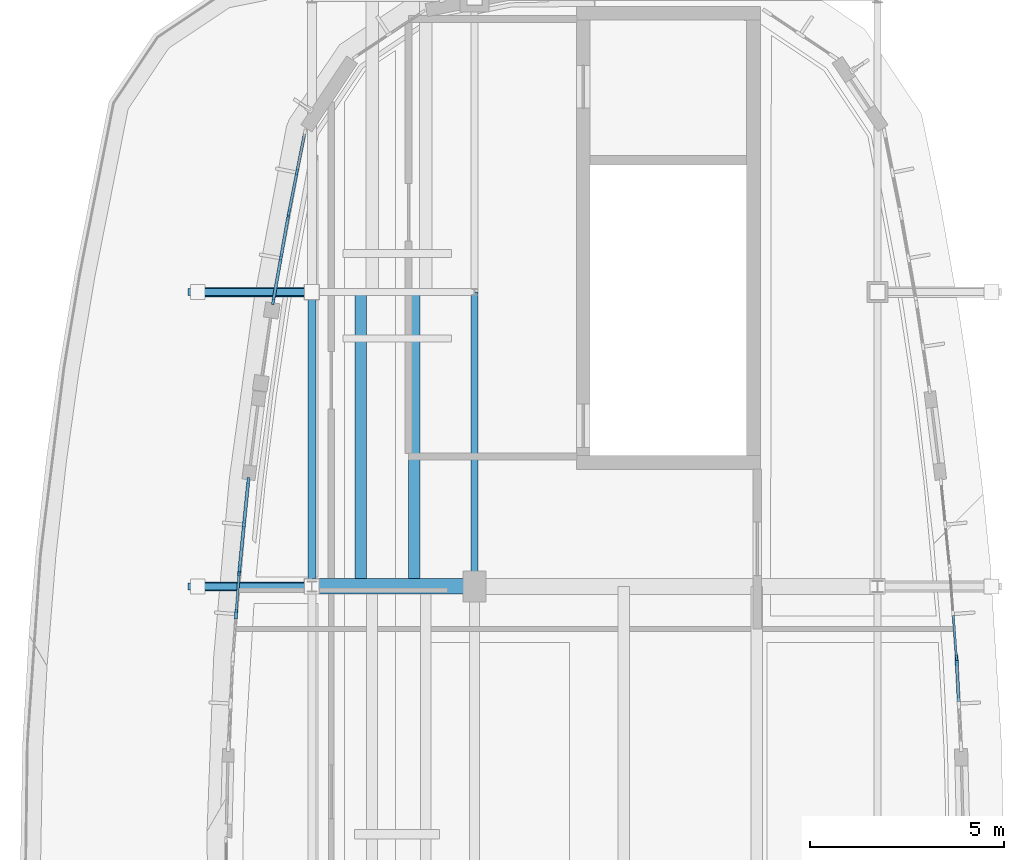
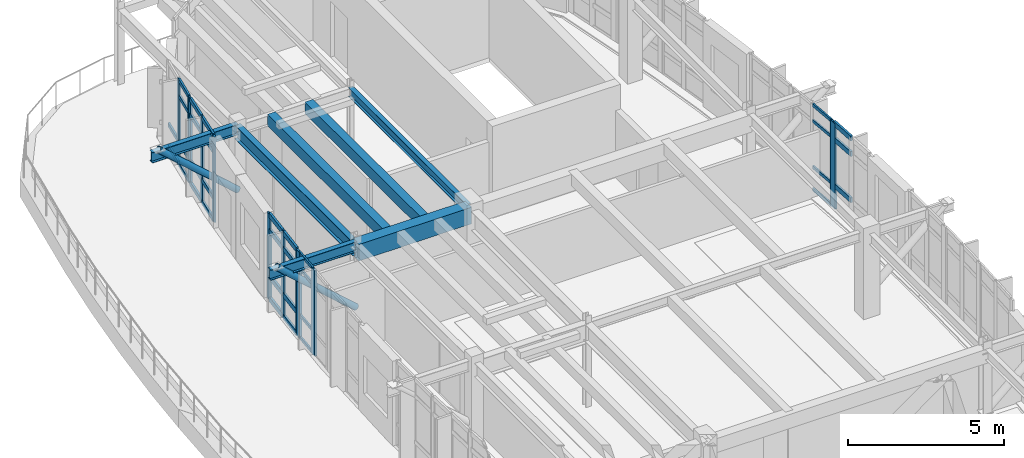
# One storey, part 9 of 20: 47 members, 7 beams, 6 elements without a shape of their own.
"""IFC4 building model written with IfcOpenShell, lengths in metres."""

from ifc_helpers import new_model, si_unit, direction, frame, origin, origin_2d, place, context, subcontext, project, spatial, rectangle, hollow_circle, i_section, extrude, material, material_profile, profile_set, type_object, element, aggregate, save


model = new_model("IFC4")

# Units and contexts
model_context = context("Model", 3, precision=1e-05, world=origin(), true_north=direction((0.0, 1.0)))
body_context = subcontext(model_context, "Body", "Model", "MODEL_VIEW")
ifc_project = project(units=[si_unit("LENGTHUNIT", "METRE"), si_unit("AREAUNIT", "SQUARE_METRE"), si_unit("VOLUMEUNIT", "CUBIC_METRE"), si_unit("PLANEANGLEUNIT", "RADIAN"), si_unit("MASSUNIT", "GRAM", prefix="KILO")], contexts=[model_context])

# Site, building, storey
site_placement = place(None, origin())
site = spatial("IfcSite", under=ifc_project, at=site_placement, CompositionType="ELEMENT")
building_placement = place(site_placement, origin())
building = spatial("IfcBuilding", under=site, at=building_placement, Name="Corveleigh Park Community Centre", CompositionType="ELEMENT")
storey_placement = place(building_placement, frame((0.0, 0.0, 19.800048828125)))
storey = spatial("IfcBuildingStorey", under=building, at=storey_placement, Name="L05", CompositionType="ELEMENT", Elevation=19.800048828125)

# Beams
ifc_material_1 = material(Name="Concrete C40/50", Category="concrete")
ifc_material_profile_1 = material_profile(ifc_material_1, rectangle(XDim=0.300048828125, YDim=0.449951171875, at=origin_2d()), Name="RC-300x450", Category="concrete")
ifc_profile_set_1 = profile_set([ifc_material_profile_1], Name="Concrete C40/50")
beam_type_1 = type_object("IfcBeamType", Name="BM-RC-300x450", PredefinedType="JOIST", material=ifc_profile_set_1)
for number, where, z_axis, x_axis, name in (
    (1, (155.06005859375, 89.0048828125, 3.0869140625), (0.0, 1.0, 0.0), (-1.0, 0.0, 0.0), "Secondary floor joist"),
    (2, (156.446044921875, 89.0048828125, 3.0869140625), (0.0, 1.0, 0.0), (-1.0, 0.0, 0.0), "Secondary floor joist"),
):
    element("IfcBeam", number, at=place(storey_placement, frame(where, z_axis=z_axis, x_axis=x_axis)), inside=storey, type_object=beam_type_1, Name=name, PredefinedType="JOIST", context=body_context, shape_type="SweptSolid", body=[
        extrude(rectangle(XDim=0.300048828125, YDim=0.449951171875, at=origin_2d()), origin(), (0.0, 0.0, 1.0), 7.590087890625),
    ])
ifc_material_profile_2 = material_profile(ifc_material_1, rectangle(XDim=0.39990234375, YDim=0.64990234375, at=origin_2d()), Name="RC-400x650", Category="concrete")
ifc_profile_set_2 = profile_set([ifc_material_profile_2], Name="Concrete C40/50")
beam_type_2 = type_object("IfcBeamType", Name="BM-RC-400x650", PredefinedType="BEAM", material=ifc_profile_set_2)
beam_1_placement = place(storey_placement, frame((153.804931640625, 89.0, 2.987060546875), z_axis=(1.0, 0.0, 0.0), x_axis=(0.0, 1.0, 0.0)))
element("IfcBeam", 3, at=beam_1_placement, inside=storey, type_object=beam_type_2, Name="V4 Girder X", PredefinedType="BEAM", context=body_context, shape_type="SweptSolid", body=[
    extrude(rectangle(XDim=0.39990234375, YDim=0.64990234375, at=origin_2d()), origin(), (0.0, 0.0, 1.0), 4.190185546875),
])
ifc_material_2 = material(Name="Steel S355", Category="steel")
ifc_material_profile_3 = material_profile(ifc_material_2, i_section(OverallWidth=0.172119140625, OverallDepth=0.35791015625, WebThickness=0.008056640625, FlangeThickness=0.012939453125, at=origin_2d()), Name="UKB 356x171x57", Category="steel")
ifc_profile_set_3 = profile_set([ifc_material_profile_3], Name="Steel S355")
beam_type_3 = type_object("IfcBeamType", Name="BM-STL-UKB356x57", PredefinedType="BEAM", material=ifc_profile_set_3)
beam_2_placement = place(storey_placement, frame((158.0, 89.0048828125, 3.133056640625), z_axis=(0.0, 1.0, 0.0), x_axis=(-1.0, 0.0, 0.0)))
element("IfcBeam", 4, at=beam_2_placement, inside=storey, type_object=beam_type_3, Name="V4 Girder Y", PredefinedType="BEAM", context=body_context, shape_type="SweptSolid", body=[
    extrude(i_section(OverallWidth=0.172119140625, OverallDepth=0.35791015625, WebThickness=0.008056640625, FlangeThickness=0.012939453125, at=origin_2d()), origin(), (0.0, 0.0, 1.0), 7.590087890625),
])
ifc_material_profile_4 = material_profile(ifc_material_2, i_section(OverallWidth=0.1787109375, OverallDepth=0.409423828125, WebThickness=0.0087890625, FlangeThickness=0.014404296875, at=origin_2d()), Name="UKB 406x178x67", Category="steel")
ifc_profile_set_4 = profile_set([ifc_material_profile_4], Name="Steel S355")
beam_type_4 = type_object("IfcBeamType", Name="BM-STL-UKB406x67", PredefinedType="BEAM", material=ifc_profile_set_4)
for number, where, z_axis, x_axis, name in (
    (5, (153.7900390625, 89.0, 3.1591796875), (-1.0, 0.0, 0.0), (0.0, -1.0, 0.0), "V4 Crown Overhang Strut X5Y4 Outrigger"),
    (6, (153.7900390625, 96.60009765625, 3.1591796875), (-1.0, 0.0, 0.0), (0.0, -1.0, 0.0), "V4 Crown Overhang Strut X5Y5 Outrigger"),
):
    element("IfcBeam", number, at=place(storey_placement, frame(where, z_axis=z_axis, x_axis=x_axis)), inside=storey, type_object=beam_type_4, Name=name, PredefinedType="BEAM", context=body_context, shape_type="SweptSolid", body=[
        extrude(i_section(OverallWidth=0.1787109375, OverallDepth=0.409423828125, WebThickness=0.0087890625, FlangeThickness=0.014404296875, at=origin_2d()), origin(), (0.0, 0.0, 1.0), 3.18994140625),
    ])
ifc_material_profile_5 = material_profile(ifc_material_2, i_section(OverallWidth=0.210693359375, OverallDepth=0.53955078125, WebThickness=0.01171875, FlangeThickness=0.018798828125, at=origin_2d()), Name="UKB 533x210x109", Category="steel")
ifc_profile_set_5 = profile_set([ifc_material_profile_5], Name="Steel S355")
beam_type_5 = type_object("IfcBeamType", Name="BM-STL-UKB533x109", PredefinedType="BEAM", material=ifc_profile_set_5)
beam_3_placement = place(storey_placement, frame((153.800048828125, 89.0048828125, 3.042236328125), z_axis=(0.0, 1.0, 0.0), x_axis=(-1.0, 0.0, 0.0)))
element("IfcBeam", 7, at=beam_3_placement, inside=storey, type_object=beam_type_5, Name="V4 Girder Y", PredefinedType="BEAM", context=body_context, shape_type="SweptSolid", body=[
    extrude(i_section(OverallWidth=0.210693359375, OverallDepth=0.53955078125, WebThickness=0.01171875, FlangeThickness=0.018798828125, at=origin_2d()), origin(), (0.0, 0.0, 1.0), 7.590087890625),
])

# Curtain wall, member
ifc_material_3 = material(Name="Anodised aluminium 6063-T6", Category="aluminium")
curtain_wall_type = type_object("IfcCurtainWallType", Name="CW-SYS-V4-L03", PredefinedType="NOTDEFINED", material=ifc_material_3)
curtain_wall_1_placement = place(storey_placement, origin())
curtain_wall_1 = element("IfcCurtainWall", 8, at=curtain_wall_1_placement, inside=storey, type_object=curtain_wall_type, Name="V4 L05 Curtain Wall 481", PredefinedType="NOTDEFINED")
ifc_material_profile_6 = material_profile(ifc_material_3, rectangle(XDim=0.06005859375, YDim=0.159912109375, at=origin_2d()), Name="ALU-M60x160", Category="aluminium")
ifc_profile_set_6 = profile_set([ifc_material_profile_6], Name="Anodised aluminium 6063-T6")
member_type_1 = type_object("IfcMemberType", Name="CWM-60x160", PredefinedType="MULLION", material=ifc_profile_set_6)
member_1_placement = place(storey_placement, frame((170.437744140625, 87.171875, 0.0), z_axis=(0.0, 0.0, 1.0), x_axis=(0.997228438227, 0.074400551014, 0.0)))
member_1 = element("IfcMember", 9, at=member_1_placement, type_object=member_type_1, Name="CW09 mullion 3", PredefinedType="MULLION", context=body_context, shape_type="SweptSolid", body=[
    extrude(rectangle(XDim=0.06005859375, YDim=0.159912109375, at=origin_2d()), origin(), (0.0, 0.0, 1.0), 3.364013671875),
])

# Curtain wall, members
curtain_wall_2_placement = place(storey_placement, origin())
curtain_wall_2 = element("IfcCurtainWall", 10, at=curtain_wall_2_placement, inside=storey, type_object=curtain_wall_type, Name="V4 L05 Curtain Wall 488", PredefinedType="NOTDEFINED")
ifc_material_profile_7 = material_profile(ifc_material_3, rectangle(XDim=0.06494140625, YDim=0.179931640625, at=origin_2d()), Name="ALU-M65x180", Category="aluminium")
ifc_profile_set_7 = profile_set([ifc_material_profile_7], Name="Anodised aluminium 6063-T6")
member_type_2 = type_object("IfcMemberType", Name="CWM-65x180", PredefinedType="MULLION", material=ifc_profile_set_7)
member_2_placement = place(storey_placement, frame((153.208251953125, 98.65185546875, 0.0), z_axis=(0.0, 0.0, 1.0), x_axis=(-0.980846064785, 0.194784489103, 0.0)))
member_2 = element("IfcMember", 11, at=member_2_placement, type_object=member_type_2, Name="CW09 mullion 1", PredefinedType="MULLION", context=body_context, shape_type="SweptSolid", body=[
    extrude(rectangle(XDim=0.06494140625, YDim=0.179931640625, at=origin_2d()), origin(), (0.0, 0.0, 1.0), 3.364013671875),
])
member_3_placement = place(storey_placement, frame((153.4130859375, 99.6826171875, 0.0), z_axis=(0.0, 0.0, 1.0), x_axis=(-0.980846064785, 0.194784489103, 0.0)))
member_3 = element("IfcMember", 12, at=member_3_placement, type_object=member_type_2, Name="CW09 mullion 2", PredefinedType="MULLION", context=body_context, shape_type="SweptSolid", body=[
    extrude(rectangle(XDim=0.06494140625, YDim=0.179931640625, at=origin_2d()), origin(), (0.0, 0.0, 1.0), 3.364013671875),
])

curtain_wall_3_placement = place(storey_placement, origin())
curtain_wall_3 = element("IfcCurtainWall", 13, at=curtain_wall_3_placement, inside=storey, type_object=curtain_wall_type, Name="V4 L05 Curtain Wall 489", PredefinedType="NOTDEFINED")
ifc_material_profile_8 = material_profile(ifc_material_3, rectangle(XDim=0.070068359375, YDim=0.199951171875, at=origin_2d()), Name="ALU-M70x200", Category="aluminium")
ifc_profile_set_8 = profile_set([ifc_material_profile_8], Name="Anodised aluminium 6063-T6")
member_type_3 = type_object("IfcMemberType", Name="CWM-70x200", PredefinedType="MULLION", material=ifc_profile_set_8)
member_4_placement = place(storey_placement, frame((152.80517578125, 96.37548828125, 0.0), z_axis=(0.0, 0.0, 1.0), x_axis=(-0.984735333655, 0.174058388626, 0.0)))
member_4 = element("IfcMember", 14, at=member_4_placement, type_object=member_type_3, Name="CW09 mullion 1", PredefinedType="MULLION", context=body_context, shape_type="SweptSolid", body=[
    extrude(rectangle(XDim=0.070068359375, YDim=0.199951171875, at=origin_2d()), origin(), (0.0, 0.0, 1.0), 3.364013671875),
])
member_5_placement = place(storey_placement, frame((152.9990234375, 97.472412109375, 0.0), z_axis=(0.0, 0.0, 1.0), x_axis=(-0.984735333655, 0.174058388626, 0.0)))
member_5 = element("IfcMember", 15, at=member_5_placement, type_object=member_type_3, Name="CW09 mullion 2", PredefinedType="MULLION", context=body_context, shape_type="SweptSolid", body=[
    extrude(rectangle(XDim=0.070068359375, YDim=0.199951171875, at=origin_2d()), origin(), (0.0, 0.0, 1.0), 3.364013671875),
])
member_6_placement = place(storey_placement, frame((153.19287109375, 98.569580078125, 0.0), z_axis=(0.0, 0.0, 1.0), x_axis=(-0.984735333655, 0.174058388626, 0.0)))
member_6 = element("IfcMember", 16, at=member_6_placement, type_object=member_type_3, Name="CW09 mullion 3", PredefinedType="MULLION", context=body_context, shape_type="SweptSolid", body=[
    extrude(rectangle(XDim=0.070068359375, YDim=0.199951171875, at=origin_2d()), origin(), (0.0, 0.0, 1.0), 3.364013671875),
])

curtain_wall_4_placement = place(storey_placement, origin())
curtain_wall_4 = element("IfcCurtainWall", 17, at=curtain_wall_4_placement, inside=storey, type_object=curtain_wall_type, Name="V4 L05 Curtain Wall 490", PredefinedType="NOTDEFINED")
ifc_material_profile_9 = material_profile(ifc_material_3, rectangle(XDim=0.074951171875, YDim=0.219970703125, at=origin_2d()), Name="ALU-M75x220", Category="aluminium")
ifc_profile_set_9 = profile_set([ifc_material_profile_9], Name="Anodised aluminium 6063-T6")
member_type_4 = type_object("IfcMemberType", Name="CWM-75x220", PredefinedType="MULLION", material=ifc_profile_set_9)
member_7_placement = place(storey_placement, frame((151.936767578125, 89.4892578125, 0.0), z_axis=(0.0, 0.0, 1.0), x_axis=(-0.995015609659, 0.099719288676, 0.0)))
member_7 = element("IfcMember", 18, at=member_7_placement, type_object=member_type_4, Name="CW09 mullion 1", PredefinedType="MULLION", context=body_context, shape_type="SweptSolid", body=[
    extrude(rectangle(XDim=0.074951171875, YDim=0.219970703125, at=origin_2d()), origin(), (0.0, 0.0, 1.0), 3.364013671875),
])
member_8_placement = place(storey_placement, frame((152.047607421875, 90.594482421875, 0.0), z_axis=(0.0, 0.0, 1.0), x_axis=(-0.995015609659, 0.099719288676, 0.0)))
member_8 = element("IfcMember", 19, at=member_8_placement, type_object=member_type_4, Name="CW09 mullion 2", PredefinedType="MULLION", context=body_context, shape_type="SweptSolid", body=[
    extrude(rectangle(XDim=0.074951171875, YDim=0.219970703125, at=origin_2d()), origin(), (0.0, 0.0, 1.0), 3.364013671875),
])
member_9_placement = place(storey_placement, frame((152.158203125, 91.69970703125, 0.0), z_axis=(0.0, 0.0, 1.0), x_axis=(-0.995015609659, 0.099719288676, 0.0)))
member_9 = element("IfcMember", 20, at=member_9_placement, type_object=member_type_4, Name="CW09 mullion 3", PredefinedType="MULLION", context=body_context, shape_type="SweptSolid", body=[
    extrude(rectangle(XDim=0.074951171875, YDim=0.219970703125, at=origin_2d()), origin(), (0.0, 0.0, 1.0), 3.364013671875),
])

curtain_wall_5_placement = place(storey_placement, origin())
curtain_wall_5 = element("IfcCurtainWall", 21, at=curtain_wall_5_placement, inside=storey, type_object=curtain_wall_type, Name="V4 L05 Curtain Wall 491", PredefinedType="NOTDEFINED")
ifc_material_profile_10 = material_profile(ifc_material_3, rectangle(XDim=0.080078125, YDim=0.25, at=origin_2d()), Name="ALU-M80x250", Category="aluminium")
ifc_profile_set_10 = profile_set([ifc_material_profile_10], Name="Anodised aluminium 6063-T6")
member_type_5 = type_object("IfcMemberType", Name="CWM-80x250", PredefinedType="MULLION", material=ifc_profile_set_10)
member_10_placement = place(storey_placement, frame((151.845458984375, 88.2880859375, 0.0), z_axis=(0.0, 0.0, 1.0), x_axis=(-0.997228438227, 0.074400551014, 0.0)))
member_10 = element("IfcMember", 22, at=member_10_placement, type_object=member_type_5, Name="CW09 mullion 2", PredefinedType="MULLION", context=body_context, shape_type="SweptSolid", body=[
    extrude(rectangle(XDim=0.080078125, YDim=0.25, at=origin_2d()), origin(), (0.0, 0.0, 1.0), 3.364013671875),
])
member_11_placement = place(storey_placement, frame((151.927978515625, 89.39404296875, 0.0), z_axis=(0.0, 0.0, 1.0), x_axis=(-0.997228438227, 0.074400551014, 0.0)))
member_11 = element("IfcMember", 23, at=member_11_placement, type_object=member_type_5, Name="CW09 mullion 3", PredefinedType="MULLION", context=body_context, shape_type="SweptSolid", body=[
    extrude(rectangle(XDim=0.080078125, YDim=0.25, at=origin_2d()), origin(), (0.0, 0.0, 1.0), 3.364013671875),
])

# Curtain wall, member
curtain_wall_6_placement = place(storey_placement, origin())
curtain_wall_6 = element("IfcCurtainWall", 24, at=curtain_wall_6_placement, inside=storey, type_object=curtain_wall_type, Name="V4 L05 Curtain Wall 480", PredefinedType="NOTDEFINED")
ifc_material_profile_11 = material_profile(ifc_material_3, rectangle(XDim=0.0849609375, YDim=0.27490234375, at=origin_2d()), Name="ALU-M85x275", Category="aluminium")
ifc_profile_set_11 = profile_set([ifc_material_profile_11], Name="Anodised aluminium 6063-T6")
member_type_6 = type_object("IfcMemberType", Name="CWM-85x275", PredefinedType="MULLION", material=ifc_profile_set_11)
member_12_placement = place(storey_placement, frame((170.443115234375, 87.08349609375, 0.0), z_axis=(0.0, 0.0, 1.0), x_axis=(0.998725060912, 0.050480220936, 0.0)))
member_12 = element("IfcMember", 25, at=member_12_placement, type_object=member_type_6, Name="CW09 mullion 1", PredefinedType="MULLION", context=body_context, shape_type="SweptSolid", body=[
    extrude(rectangle(XDim=0.0849609375, YDim=0.27490234375, at=origin_2d()), origin(), (0.0, 0.0, 1.0), 3.364013671875),
])

# Member
ifc_material_profile_12 = material_profile(ifc_material_3, rectangle(XDim=0.06005859375, YDim=0.1201171875, at=origin_2d()), Name="ALU-T60x120", Category="aluminium")
ifc_profile_set_12 = profile_set([ifc_material_profile_12], Name="Anodised aluminium 6063-T6")
member_type_7 = type_object("IfcMemberType", Name="CWT-60x120", PredefinedType="USERDEFINED", material=ifc_profile_set_12)
member_13_placement = place(storey_placement, frame((170.356689453125, 88.258056640625, 0.030029296875), z_axis=(0.074457561528, -0.997224183186, 0.0), x_axis=(0.997224183186, 0.074457561528, 0.0)))
member_13 = element("IfcMember", 26, at=member_13_placement, type_object=member_type_7, Name="CW09 transom 2.1", ObjectType="TRANSOM", PredefinedType="USERDEFINED", context=body_context, shape_type="SweptSolid", body=[
    extrude(rectangle(XDim=0.06005859375, YDim=0.1201171875, at=origin_2d()), origin(), (0.0, 0.0, 1.0), 1.05908203125),
])

member_14_placement = place(storey_placement, frame((170.356689453125, 88.258056640625, 0.89990234375), z_axis=(0.074457561528, -0.997224183186, 0.0), x_axis=(0.997224183186, 0.074457561528, 0.0)))
member_14 = element("IfcMember", 27, at=member_14_placement, type_object=member_type_7, Name="CW09 transom 2.2", ObjectType="TRANSOM", PredefinedType="USERDEFINED", context=body_context, shape_type="SweptSolid", body=[
    extrude(rectangle(XDim=0.06005859375, YDim=0.1201171875, at=origin_2d()), origin(), (0.0, 0.0, 1.0), 1.05908203125),
])

member_15_placement = place(storey_placement, frame((170.356689453125, 88.258056640625, 2.7138671875), z_axis=(0.074457561528, -0.997224183186, 0.0), x_axis=(0.997224183186, 0.074457561528, 0.0)))
member_15 = element("IfcMember", 28, at=member_15_placement, type_object=member_type_7, Name="CW09 transom 2.3", ObjectType="TRANSOM", PredefinedType="USERDEFINED", context=body_context, shape_type="SweptSolid", body=[
    extrude(rectangle(XDim=0.06005859375, YDim=0.1201171875, at=origin_2d()), origin(), (0.0, 0.0, 1.0), 1.05908203125),
])

member_16_placement = place(storey_placement, frame((170.356689453125, 88.258056640625, 3.333984375), z_axis=(0.074457561528, -0.997224183186, 0.0), x_axis=(0.997224183186, 0.074457561528, 0.0)))
member_16 = element("IfcMember", 29, at=member_16_placement, type_object=member_type_7, Name="CW09 transom 2.4", ObjectType="TRANSOM", PredefinedType="USERDEFINED", context=body_context, shape_type="SweptSolid", body=[
    extrude(rectangle(XDim=0.06005859375, YDim=0.1201171875, at=origin_2d()), origin(), (0.0, 0.0, 1.0), 1.05908203125),
])

aggregate(curtain_wall_1, [member_1, member_13, member_14, member_15, member_16])

member_17_placement = place(storey_placement, frame((151.848388671875, 88.327880859375, 0.030029296875), z_axis=(0.074483299239, 0.997222261151, 0.0), x_axis=(-0.997222261151, 0.074483299239, 0.0)))
member_17 = element("IfcMember", 30, at=member_17_placement, type_object=member_type_7, Name="CW09 transom 2.1", ObjectType="TRANSOM", PredefinedType="USERDEFINED", context=body_context, shape_type="SweptSolid", body=[
    extrude(rectangle(XDim=0.06005859375, YDim=0.1201171875, at=origin_2d()), origin(), (0.0, 0.0, 1.0), 1.029296875),
])

member_18_placement = place(storey_placement, frame((151.848388671875, 88.327880859375, 0.89990234375), z_axis=(0.074483299239, 0.997222261151, 0.0), x_axis=(-0.997222261151, 0.074483299239, 0.0)))
member_18 = element("IfcMember", 31, at=member_18_placement, type_object=member_type_7, Name="CW09 transom 2.2", ObjectType="TRANSOM", PredefinedType="USERDEFINED", context=body_context, shape_type="SweptSolid", body=[
    extrude(rectangle(XDim=0.06005859375, YDim=0.1201171875, at=origin_2d()), origin(), (0.0, 0.0, 1.0), 1.029296875),
])

member_19_placement = place(storey_placement, frame((151.848388671875, 88.327880859375, 2.7138671875), z_axis=(0.074483299239, 0.997222261151, 0.0), x_axis=(-0.997222261151, 0.074483299239, 0.0)))
member_19 = element("IfcMember", 32, at=member_19_placement, type_object=member_type_7, Name="CW09 transom 2.3", ObjectType="TRANSOM", PredefinedType="USERDEFINED", context=body_context, shape_type="SweptSolid", body=[
    extrude(rectangle(XDim=0.06005859375, YDim=0.1201171875, at=origin_2d()), origin(), (0.0, 0.0, 1.0), 1.029296875),
])

member_20_placement = place(storey_placement, frame((151.848388671875, 88.327880859375, 3.333984375), z_axis=(0.074483299239, 0.997222261151, 0.0), x_axis=(-0.997222261151, 0.074483299239, 0.0)))
member_20 = element("IfcMember", 33, at=member_20_placement, type_object=member_type_7, Name="CW09 transom 2.4", ObjectType="TRANSOM", PredefinedType="USERDEFINED", context=body_context, shape_type="SweptSolid", body=[
    extrude(rectangle(XDim=0.06005859375, YDim=0.1201171875, at=origin_2d()), origin(), (0.0, 0.0, 1.0), 1.029296875),
])

aggregate(curtain_wall_5, [member_10, member_11, member_17, member_18, member_19, member_20])

ifc_material_profile_13 = material_profile(ifc_material_3, rectangle(XDim=0.070068359375, YDim=0.155029296875, at=origin_2d()), Name="ALU-T70x155", Category="aluminium")
ifc_profile_set_13 = profile_set([ifc_material_profile_13], Name="Anodised aluminium 6063-T6")
member_type_8 = type_object("IfcMemberType", Name="CWT-70x155", PredefinedType="USERDEFINED", material=ifc_profile_set_13)
member_21_placement = place(storey_placement, frame((153.214599609375, 98.683837890625, 0.034912109375), z_axis=(0.194925214861, 0.980818107812, 0.0), x_axis=(-0.980818107812, 0.194925214861, 0.0)))
member_21 = element("IfcMember", 34, at=member_21_placement, type_object=member_type_8, Name="CW09 transom 1.1", ObjectType="TRANSOM", PredefinedType="USERDEFINED", context=body_context, shape_type="SweptSolid", body=[
    extrude(rectangle(XDim=0.070068359375, YDim=0.155029296875, at=origin_2d()), origin(), (0.0, 0.0, 1.0), 0.985595703125),
])

member_22_placement = place(storey_placement, frame((153.214599609375, 98.683837890625, 0.89990234375), z_axis=(0.194925214861, 0.980818107812, 0.0), x_axis=(-0.980818107812, 0.194925214861, 0.0)))
member_22 = element("IfcMember", 35, at=member_22_placement, type_object=member_type_8, Name="CW09 transom 1.2", ObjectType="TRANSOM", PredefinedType="USERDEFINED", context=body_context, shape_type="SweptSolid", body=[
    extrude(rectangle(XDim=0.070068359375, YDim=0.155029296875, at=origin_2d()), origin(), (0.0, 0.0, 1.0), 0.985595703125),
])

member_23_placement = place(storey_placement, frame((153.214599609375, 98.683837890625, 2.7138671875), z_axis=(0.194925214861, 0.980818107812, 0.0), x_axis=(-0.980818107812, 0.194925214861, 0.0)))
member_23 = element("IfcMember", 36, at=member_23_placement, type_object=member_type_8, Name="CW09 transom 1.3", ObjectType="TRANSOM", PredefinedType="USERDEFINED", context=body_context, shape_type="SweptSolid", body=[
    extrude(rectangle(XDim=0.070068359375, YDim=0.155029296875, at=origin_2d()), origin(), (0.0, 0.0, 1.0), 0.985595703125),
])

member_24_placement = place(storey_placement, frame((153.214599609375, 98.683837890625, 3.328857421875), z_axis=(0.194925214861, 0.980818107812, 0.0), x_axis=(-0.980818107812, 0.194925214861, 0.0)))
member_24 = element("IfcMember", 37, at=member_24_placement, type_object=member_type_8, Name="CW09 transom 1.4", ObjectType="TRANSOM", PredefinedType="USERDEFINED", context=body_context, shape_type="SweptSolid", body=[
    extrude(rectangle(XDim=0.070068359375, YDim=0.155029296875, at=origin_2d()), origin(), (0.0, 0.0, 1.0), 0.985595703125),
])

member_25_placement = place(storey_placement, frame((153.41943359375, 99.71435546875, 0.034912109375), z_axis=(0.194686927131, 0.980865434402, 0.0), x_axis=(-0.980865434402, 0.194686927131, 0.0)))
member_25 = element("IfcMember", 38, at=member_25_placement, type_object=member_type_8, Name="CW09 transom 2.1", ObjectType="TRANSOM", PredefinedType="USERDEFINED", context=body_context, shape_type="SweptSolid", body=[
    extrude(rectangle(XDim=0.070068359375, YDim=0.155029296875, at=origin_2d()), origin(), (0.0, 0.0, 1.0), 0.985595703125),
])

member_26_placement = place(storey_placement, frame((153.41943359375, 99.71435546875, 0.89990234375), z_axis=(0.194686927131, 0.980865434402, 0.0), x_axis=(-0.980865434402, 0.194686927131, 0.0)))
member_26 = element("IfcMember", 39, at=member_26_placement, type_object=member_type_8, Name="CW09 transom 2.2", ObjectType="TRANSOM", PredefinedType="USERDEFINED", context=body_context, shape_type="SweptSolid", body=[
    extrude(rectangle(XDim=0.070068359375, YDim=0.155029296875, at=origin_2d()), origin(), (0.0, 0.0, 1.0), 0.985595703125),
])

aggregate(curtain_wall_2, [member_2, member_3, member_21, member_22, member_23, member_24, member_25, member_26])

ifc_material_profile_14 = material_profile(ifc_material_3, rectangle(XDim=0.074951171875, YDim=0.175048828125, at=origin_2d()), Name="ALU-T75x175", Category="aluminium")
ifc_profile_set_14 = profile_set([ifc_material_profile_14], Name="Anodised aluminium 6063-T6")
member_type_9 = type_object("IfcMemberType", Name="CWT-75x175", PredefinedType="USERDEFINED", material=ifc_profile_set_14)
member_27_placement = place(storey_placement, frame((152.811279296875, 96.409912109375, 0.037353515625), z_axis=(0.173985438059, 0.984748225357, 0.0), x_axis=(-0.984748225357, 0.173985438059, 0.0)))
member_27 = element("IfcMember", 40, at=member_27_placement, type_object=member_type_9, Name="CW09 transom 1.1", ObjectType="TRANSOM", PredefinedType="USERDEFINED", context=body_context, shape_type="SweptSolid", body=[
    extrude(rectangle(XDim=0.074951171875, YDim=0.175048828125, at=origin_2d()), origin(), (0.0, 0.0, 1.0), 1.0439453125),
])

member_28_placement = place(storey_placement, frame((152.811279296875, 96.409912109375, 0.89990234375), z_axis=(0.173985438059, 0.984748225357, 0.0), x_axis=(-0.984748225357, 0.173985438059, 0.0)))
member_28 = element("IfcMember", 41, at=member_28_placement, type_object=member_type_9, Name="CW09 transom 1.2", ObjectType="TRANSOM", PredefinedType="USERDEFINED", context=body_context, shape_type="SweptSolid", body=[
    extrude(rectangle(XDim=0.074951171875, YDim=0.175048828125, at=origin_2d()), origin(), (0.0, 0.0, 1.0), 1.0439453125),
])

member_29_placement = place(storey_placement, frame((152.811279296875, 96.409912109375, 2.7138671875), z_axis=(0.173985438059, 0.984748225357, 0.0), x_axis=(-0.984748225357, 0.173985438059, 0.0)))
member_29 = element("IfcMember", 42, at=member_29_placement, type_object=member_type_9, Name="CW09 transom 1.3", ObjectType="TRANSOM", PredefinedType="USERDEFINED", context=body_context, shape_type="SweptSolid", body=[
    extrude(rectangle(XDim=0.074951171875, YDim=0.175048828125, at=origin_2d()), origin(), (0.0, 0.0, 1.0), 1.0439453125),
])

member_30_placement = place(storey_placement, frame((152.811279296875, 96.409912109375, 3.326416015625), z_axis=(0.173985438059, 0.984748225357, 0.0), x_axis=(-0.984748225357, 0.173985438059, 0.0)))
member_30 = element("IfcMember", 43, at=member_30_placement, type_object=member_type_9, Name="CW09 transom 1.4", ObjectType="TRANSOM", PredefinedType="USERDEFINED", context=body_context, shape_type="SweptSolid", body=[
    extrude(rectangle(XDim=0.074951171875, YDim=0.175048828125, at=origin_2d()), origin(), (0.0, 0.0, 1.0), 1.0439453125),
])

member_31_placement = place(storey_placement, frame((153.005126953125, 97.507080078125, 0.037353515625), z_axis=(0.173985438059, 0.984748225357, 0.0), x_axis=(-0.984748225357, 0.173985438059, 0.0)))
member_31 = element("IfcMember", 44, at=member_31_placement, type_object=member_type_9, Name="CW09 transom 2.1", ObjectType="TRANSOM", PredefinedType="USERDEFINED", context=body_context, shape_type="SweptSolid", body=[
    extrude(rectangle(XDim=0.074951171875, YDim=0.175048828125, at=origin_2d()), origin(), (0.0, 0.0, 1.0), 1.0439453125),
])

member_32_placement = place(storey_placement, frame((153.005126953125, 97.507080078125, 0.89990234375), z_axis=(0.173985438059, 0.984748225357, 0.0), x_axis=(-0.984748225357, 0.173985438059, 0.0)))
member_32 = element("IfcMember", 45, at=member_32_placement, type_object=member_type_9, Name="CW09 transom 2.2", ObjectType="TRANSOM", PredefinedType="USERDEFINED", context=body_context, shape_type="SweptSolid", body=[
    extrude(rectangle(XDim=0.074951171875, YDim=0.175048828125, at=origin_2d()), origin(), (0.0, 0.0, 1.0), 1.0439453125),
])

member_33_placement = place(storey_placement, frame((153.005126953125, 97.507080078125, 2.7138671875), z_axis=(0.173985438059, 0.984748225357, 0.0), x_axis=(-0.984748225357, 0.173985438059, 0.0)))
member_33 = element("IfcMember", 46, at=member_33_placement, type_object=member_type_9, Name="CW09 transom 2.3", ObjectType="TRANSOM", PredefinedType="USERDEFINED", context=body_context, shape_type="SweptSolid", body=[
    extrude(rectangle(XDim=0.074951171875, YDim=0.175048828125, at=origin_2d()), origin(), (0.0, 0.0, 1.0), 1.0439453125),
])

member_34_placement = place(storey_placement, frame((153.005126953125, 97.507080078125, 3.326416015625), z_axis=(0.173985438059, 0.984748225357, 0.0), x_axis=(-0.984748225357, 0.173985438059, 0.0)))
member_34 = element("IfcMember", 47, at=member_34_placement, type_object=member_type_9, Name="CW09 transom 2.4", ObjectType="TRANSOM", PredefinedType="USERDEFINED", context=body_context, shape_type="SweptSolid", body=[
    extrude(rectangle(XDim=0.074951171875, YDim=0.175048828125, at=origin_2d()), origin(), (0.0, 0.0, 1.0), 1.0439453125),
])

aggregate(curtain_wall_3, [member_4, member_5, member_6, member_27, member_28, member_29, member_30, member_31, member_32, member_33, member_34])

ifc_material_profile_15 = material_profile(ifc_material_3, rectangle(XDim=0.080078125, YDim=0.195068359375, at=origin_2d()), Name="ALU-T80x195", Category="aluminium")
ifc_profile_set_15 = profile_set([ifc_material_profile_15], Name="Anodised aluminium 6063-T6")
member_type_10 = type_object("IfcMemberType", Name="CWT-80x195", PredefinedType="USERDEFINED", material=ifc_profile_set_15)
member_35_placement = place(storey_placement, frame((170.4453125, 87.041015625, 0.89990234375), z_axis=(0.05043835189, -0.998727176289, 0.0), x_axis=(0.998727176289, 0.05043835189, 0.0)))
member_35 = element("IfcMember", 48, at=member_35_placement, type_object=member_type_10, Name="CW09 transom 1.2", ObjectType="TRANSOM", PredefinedType="USERDEFINED", context=body_context, shape_type="SweptSolid", body=[
    extrude(rectangle(XDim=0.080078125, YDim=0.195068359375, at=origin_2d()), origin(), (0.0, 0.0, 1.0), 1.021240234375),
])

member_36_placement = place(storey_placement, frame((170.4453125, 87.041015625, 2.7138671875), z_axis=(0.05043835189, -0.998727176289, 0.0), x_axis=(0.998727176289, 0.05043835189, 0.0)))
member_36 = element("IfcMember", 49, at=member_36_placement, type_object=member_type_10, Name="CW09 transom 1.3", ObjectType="TRANSOM", PredefinedType="USERDEFINED", context=body_context, shape_type="SweptSolid", body=[
    extrude(rectangle(XDim=0.080078125, YDim=0.195068359375, at=origin_2d()), origin(), (0.0, 0.0, 1.0), 1.021240234375),
])

member_37_placement = place(storey_placement, frame((170.4453125, 87.041015625, 3.323974609375), z_axis=(0.05043835189, -0.998727176289, 0.0), x_axis=(0.998727176289, 0.05043835189, 0.0)))
member_37 = element("IfcMember", 50, at=member_37_placement, type_object=member_type_10, Name="CW09 transom 1.4", ObjectType="TRANSOM", PredefinedType="USERDEFINED", context=body_context, shape_type="SweptSolid", body=[
    extrude(rectangle(XDim=0.080078125, YDim=0.195068359375, at=origin_2d()), origin(), (0.0, 0.0, 1.0), 1.021240234375),
])

aggregate(curtain_wall_6, [member_12, member_35, member_36, member_37])

member_38_placement = place(storey_placement, frame((151.9404296875, 89.526611328125, 0.0400390625), z_axis=(0.099713773204, 0.995016162398, 0.0), x_axis=(-0.995016162398, 0.099713773204, 0.0)))
member_38 = element("IfcMember", 51, at=member_38_placement, type_object=member_type_10, Name="CW09 transom 1.1", ObjectType="TRANSOM", PredefinedType="USERDEFINED", context=body_context, shape_type="SweptSolid", body=[
    extrude(rectangle(XDim=0.080078125, YDim=0.195068359375, at=origin_2d()), origin(), (0.0, 0.0, 1.0), 1.03564453125),
])

member_39_placement = place(storey_placement, frame((151.9404296875, 89.526611328125, 0.89990234375), z_axis=(0.099713773204, 0.995016162398, 0.0), x_axis=(-0.995016162398, 0.099713773204, 0.0)))
member_39 = element("IfcMember", 52, at=member_39_placement, type_object=member_type_10, Name="CW09 transom 1.2", ObjectType="TRANSOM", PredefinedType="USERDEFINED", context=body_context, shape_type="SweptSolid", body=[
    extrude(rectangle(XDim=0.080078125, YDim=0.195068359375, at=origin_2d()), origin(), (0.0, 0.0, 1.0), 1.03564453125),
])

member_40_placement = place(storey_placement, frame((151.9404296875, 89.526611328125, 2.7138671875), z_axis=(0.099713773204, 0.995016162398, 0.0), x_axis=(-0.995016162398, 0.099713773204, 0.0)))
member_40 = element("IfcMember", 53, at=member_40_placement, type_object=member_type_10, Name="CW09 transom 1.3", ObjectType="TRANSOM", PredefinedType="USERDEFINED", context=body_context, shape_type="SweptSolid", body=[
    extrude(rectangle(XDim=0.080078125, YDim=0.195068359375, at=origin_2d()), origin(), (0.0, 0.0, 1.0), 1.03564453125),
])

member_41_placement = place(storey_placement, frame((151.9404296875, 89.526611328125, 3.323974609375), z_axis=(0.099713773204, 0.995016162398, 0.0), x_axis=(-0.995016162398, 0.099713773204, 0.0)))
member_41 = element("IfcMember", 54, at=member_41_placement, type_object=member_type_10, Name="CW09 transom 1.4", ObjectType="TRANSOM", PredefinedType="USERDEFINED", context=body_context, shape_type="SweptSolid", body=[
    extrude(rectangle(XDim=0.080078125, YDim=0.195068359375, at=origin_2d()), origin(), (0.0, 0.0, 1.0), 1.03564453125),
])

member_42_placement = place(storey_placement, frame((152.05126953125, 90.6318359375, 0.0400390625), z_axis=(0.099713773204, 0.995016162398, 0.0), x_axis=(-0.995016162398, 0.099713773204, 0.0)))
member_42 = element("IfcMember", 55, at=member_42_placement, type_object=member_type_10, Name="CW09 transom 2.1", ObjectType="TRANSOM", PredefinedType="USERDEFINED", context=body_context, shape_type="SweptSolid", body=[
    extrude(rectangle(XDim=0.080078125, YDim=0.195068359375, at=origin_2d()), origin(), (0.0, 0.0, 1.0), 1.03564453125),
])

member_43_placement = place(storey_placement, frame((152.05126953125, 90.6318359375, 0.89990234375), z_axis=(0.099713773204, 0.995016162398, 0.0), x_axis=(-0.995016162398, 0.099713773204, 0.0)))
member_43 = element("IfcMember", 56, at=member_43_placement, type_object=member_type_10, Name="CW09 transom 2.2", ObjectType="TRANSOM", PredefinedType="USERDEFINED", context=body_context, shape_type="SweptSolid", body=[
    extrude(rectangle(XDim=0.080078125, YDim=0.195068359375, at=origin_2d()), origin(), (0.0, 0.0, 1.0), 1.03564453125),
])

member_44_placement = place(storey_placement, frame((152.05126953125, 90.6318359375, 2.7138671875), z_axis=(0.099713773204, 0.995016162398, 0.0), x_axis=(-0.995016162398, 0.099713773204, 0.0)))
member_44 = element("IfcMember", 57, at=member_44_placement, type_object=member_type_10, Name="CW09 transom 2.3", ObjectType="TRANSOM", PredefinedType="USERDEFINED", context=body_context, shape_type="SweptSolid", body=[
    extrude(rectangle(XDim=0.080078125, YDim=0.195068359375, at=origin_2d()), origin(), (0.0, 0.0, 1.0), 1.03564453125),
])

member_45_placement = place(storey_placement, frame((152.05126953125, 90.6318359375, 3.323974609375), z_axis=(0.099713773204, 0.995016162398, 0.0), x_axis=(-0.995016162398, 0.099713773204, 0.0)))
member_45 = element("IfcMember", 58, at=member_45_placement, type_object=member_type_10, Name="CW09 transom 2.4", ObjectType="TRANSOM", PredefinedType="USERDEFINED", context=body_context, shape_type="SweptSolid", body=[
    extrude(rectangle(XDim=0.080078125, YDim=0.195068359375, at=origin_2d()), origin(), (0.0, 0.0, 1.0), 1.03564453125),
])

aggregate(curtain_wall_4, [member_7, member_8, member_9, member_38, member_39, member_40, member_41, member_42, member_43, member_44, member_45])

# Members
ifc_material_profile_16 = material_profile(ifc_material_2, hollow_circle(Radius=0.122314453125, WallThickness=0.012451171875, at=origin_2d()), Name="CHS 244.5x12.5", Category="steel")
ifc_profile_set_16 = profile_set([ifc_material_profile_16], Name="Steel S355")
member_type_11 = type_object("IfcMemberType", Name="MEM-STR-CHS245", PredefinedType="STRUT", material=ifc_profile_set_16)
for number, where, z_axis, x_axis, name in (
    (59, (153.800048828125, 89.0, 0.75), (-0.748675336061, 0.0, 0.662936830455), (0.0, -1.0, 0.0), "V4 Crown Overhang Strut X5Y4"),
    (60, (153.800048828125, 96.60009765625, 0.75), (-0.748675336061, 0.0, 0.662936830455), (0.0, -1.0, 0.0), "V4 Crown Overhang Strut X5Y5"),
):
    element("IfcMember", number, at=place(storey_placement, frame(where, z_axis=z_axis, x_axis=x_axis)), inside=storey, type_object=member_type_11, Name=name, PredefinedType="STRUT", context=body_context, shape_type="SweptSolid", body=[
        extrude(hollow_circle(Radius=0.122314453125, WallThickness=0.012451171875, at=origin_2d()), origin(), (0.0, 0.0, 1.0), 3.932373046875),
    ])

save(model, "model.ifc")
